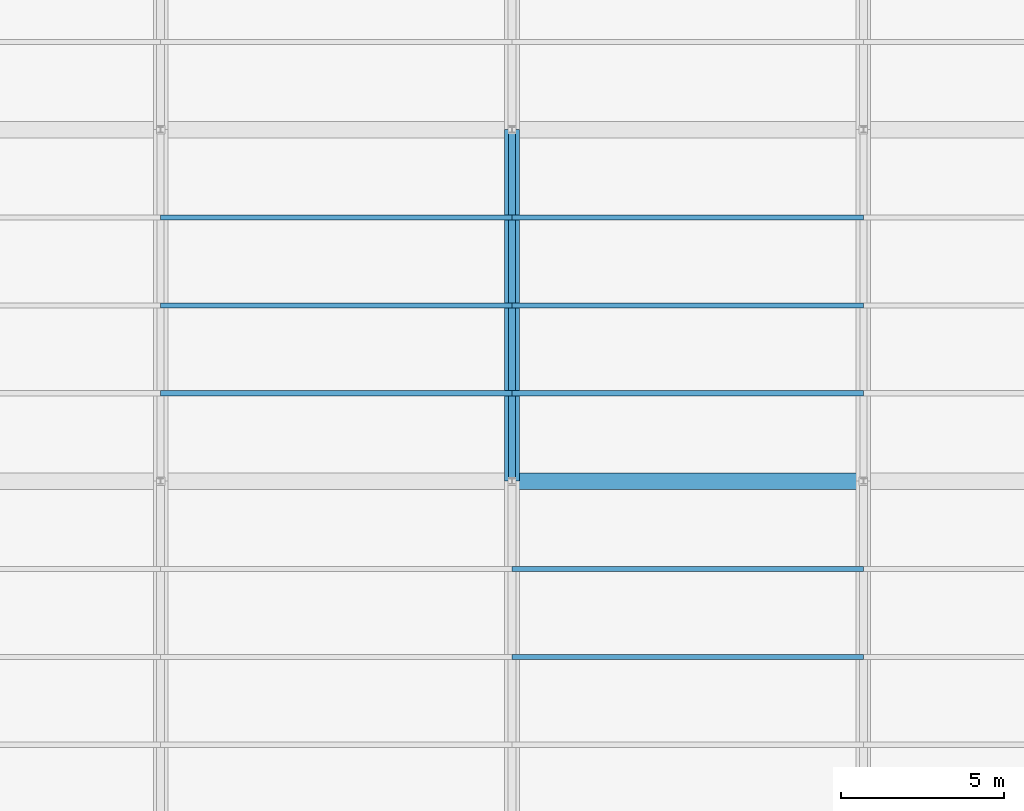
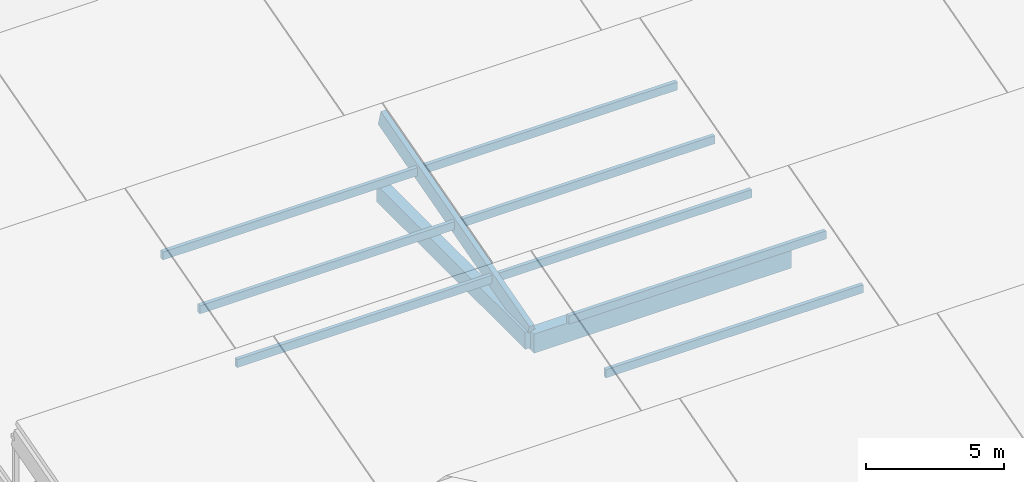
# One storey, part 24 of 112: 9 members, 2 beams.
"""IFC4 building model written with IfcOpenShell, lengths in metres."""

from ifc_helpers import new_model, si_unit, direction, frame, origin, origin_2d, place, context, subcontext, project, spatial, rectangle, extrude, material, material_profile, profile_set, type_object, element, save


model = new_model("IFC4")

# Units and contexts
model_context = context("Model", 3, precision=1e-05, world=origin(), true_north=direction((0.0, 1.0)))
body_context = subcontext(model_context, "Body", "Model", "MODEL_VIEW")
ifc_project = project(units=[si_unit("LENGTHUNIT", "METRE"), si_unit("AREAUNIT", "SQUARE_METRE"), si_unit("VOLUMEUNIT", "CUBIC_METRE"), si_unit("PLANEANGLEUNIT", "RADIAN"), si_unit("MASSUNIT", "GRAM", prefix="KILO")], contexts=[model_context])

# Site, building, storey
site_placement = place(None, origin())
site = spatial("IfcSite", under=ifc_project, at=site_placement, CompositionType="ELEMENT")
building_placement = place(site_placement, origin())
building = spatial("IfcBuilding", under=site, at=building_placement, Name="Zwinboog Wholesale Market", CompositionType="ELEMENT")
storey_placement = place(building_placement, frame((0.0, 0.0, 19.080078125)))
storey = spatial("IfcBuildingStorey", under=building, at=storey_placement, Name="Roof", CompositionType="ELEMENT", Elevation=19.080078125)

# Beams
ifc_material_1 = material(Name="Precast concrete C45/55", Category="concrete")
ifc_material_profile_1 = material_profile(ifc_material_1, rectangle(XDim=0.5, YDim=0.85009765625, at=origin_2d()), Name="PC 500x850")
ifc_profile_set_1 = profile_set([ifc_material_profile_1], Name="Precast concrete C45/55")
beam_type_1 = type_object("IfcBeamType", Name="BT-03", PredefinedType="BEAM", material=ifc_profile_set_1)
beam_1_placement = place(storey_placement, frame((21.60009765625, 86.39990234375, -9.425048828125), z_axis=(1.0, 0.0, 0.0), x_axis=(0.0, 1.0, 0.0)))
element("IfcBeam", 1, at=beam_1_placement, inside=storey, type_object=beam_type_1, Name="BG-03 (BMG-Roof-0216-0864-1181)", PredefinedType="BEAM", context=body_context, shape_type="SweptSolid", body=[
    extrude(rectangle(XDim=0.5, YDim=0.85009765625, at=origin_2d()), origin(), (0.0, 0.0, 1.0), 10.7998046875),
])
ifc_material_profile_2 = material_profile(ifc_material_1, rectangle(XDim=0.449951171875, YDim=0.75, at=origin_2d()), Name="PC 450x750")
ifc_profile_set_2 = profile_set([ifc_material_profile_2], Name="Precast concrete C45/55")
beam_type_2 = type_object("IfcBeamType", Name="BT-04", PredefinedType="BEAM", material=ifc_profile_set_2)
beam_2_placement = place(storey_placement, frame((21.60009765625, 86.39990234375, -9.375), z_axis=(0.0, 1.0, 0.0), x_axis=(-1.0, 0.0, 0.0)))
element("IfcBeam", 2, at=beam_2_placement, inside=storey, type_object=beam_type_2, Name="BG-04 (BMG-Roof-0216-0864-1229)", PredefinedType="BEAM", context=body_context, shape_type="SweptSolid", body=[
    extrude(rectangle(XDim=0.449951171875, YDim=0.75, at=origin_2d()), origin(), (0.0, 0.0, 1.0), 10.800048828125),
])

# Members
ifc_material_2 = material(Name="Glulam GL28h", Category="wood")
ifc_material_profile_3 = material_profile(ifc_material_2, rectangle(XDim=0.219970703125, YDim=0.719970703125, at=origin_2d()), Name="GL28h 220x720")
ifc_profile_set_3 = profile_set([ifc_material_profile_3], Name="Glulam GL28h")
member_type_1 = type_object("IfcMemberType", Name="MT-10", PredefinedType="RAFTER", material=ifc_profile_set_3)
member_1_placement = place(storey_placement, frame((21.60009765625, 86.39990234375, -9.065673828125), z_axis=(0.0, 0.963518221675, 0.26764274042), x_axis=(-1.0, 0.0, 0.0)))
element("IfcMember", 3, at=member_1_placement, inside=storey, type_object=member_type_1, Name="GR-02 (MEM-Roof-0819)", PredefinedType="RAFTER", context=body_context, shape_type="SweptSolid", body=[
    extrude(rectangle(XDim=0.219970703125, YDim=0.719970703125, at=origin_2d()), origin(), (0.0, 0.0, 1.0), 11.208984375),
])
ifc_material_profile_4 = material_profile(ifc_material_2, rectangle(XDim=0.159912109375, YDim=0.360107421875, at=origin_2d()), Name="GL28h 160x360")
ifc_profile_set_4 = profile_set([ifc_material_profile_4], Name="Glulam GL28h")
member_type_2 = type_object("IfcMemberType", Name="MT-12", PredefinedType="PURLIN", material=ifc_profile_set_4)
member_2_placement = place(storey_placement, frame((21.60009765625, 83.699951171875, -6.845703125), z_axis=(1.0, 0.0, 0.0), x_axis=(0.0, 1.0, 0.0)))
element("IfcMember", 4, at=member_2_placement, inside=storey, type_object=member_type_2, Name="GP-01 (MEM-Roof-0803)", PredefinedType="PURLIN", context=body_context, shape_type="SweptSolid", body=[
    extrude(rectangle(XDim=0.159912109375, YDim=0.360107421875, at=origin_2d()), origin(), (0.0, 0.0, 1.0), 10.7998046875),
])
for number, where, z_axis, x_axis, name in (
    (5, (10.800048828125, 89.10009765625, -8.273193359375), (1.0, 0.0, 0.0), (0.0, 1.0, 0.0), "GP-01 (MEM-Roof-0816)"),
    (6, (10.800048828125, 94.5, -6.773193359375), (1.0, 0.0, 0.0), (0.0, 1.0, 0.0), "GP-01 (MEM-Roof-0817)"),
):
    element("IfcMember", number, at=place(storey_placement, frame(where, z_axis=z_axis, x_axis=x_axis)), inside=storey, type_object=member_type_2, Name=name, PredefinedType="PURLIN", context=body_context, shape_type="SweptSolid", body=[
        extrude(rectangle(XDim=0.159912109375, YDim=0.360107421875, at=origin_2d()), origin(), (0.0, 0.0, 1.0), 10.800048828125),
    ])
for number, where, z_axis, x_axis, name in (
    (7, (21.60009765625, 89.10009765625, -8.285888671875), (1.0, 0.0, 0.0), (0.0, 1.0, 0.0), "GP-01 (MEM-Roof-0820)"),
    (8, (21.60009765625, 94.5, -6.785888671875), (1.0, 0.0, 0.0), (0.0, 1.0, 0.0), "GP-01 (MEM-Roof-0821)"),
    (9, (21.60009765625, 81.0, -7.595703125), (1.0, 0.0, 0.0), (0.0, 1.0, 0.0), "GP-01 (MEM-PRL-Roof-0031)"),
):
    element("IfcMember", number, at=place(storey_placement, frame(where, z_axis=z_axis, x_axis=x_axis)), inside=storey, type_object=member_type_2, Name=name, PredefinedType="PURLIN", context=body_context, shape_type="SweptSolid", body=[
        extrude(rectangle(XDim=0.159912109375, YDim=0.360107421875, at=origin_2d()), origin(), (0.0, 0.0, 1.0), 10.7998046875),
    ])
member_3_placement = place(storey_placement, frame((10.800048828125, 91.800048828125, -7.523193359375), z_axis=(1.0, 0.0, 0.0), x_axis=(0.0, 1.0, 0.0)))
element("IfcMember", 10, at=member_3_placement, inside=storey, type_object=member_type_2, Name="GP-01 (MEM-PRL-Roof-0034)", PredefinedType="PURLIN", context=body_context, shape_type="SweptSolid", body=[
    extrude(rectangle(XDim=0.159912109375, YDim=0.360107421875, at=origin_2d()), origin(), (0.0, 0.0, 1.0), 10.800048828125),
])
member_4_placement = place(storey_placement, frame((21.60009765625, 91.800048828125, -7.535888671875), z_axis=(1.0, 0.0, 0.0), x_axis=(0.0, 1.0, 0.0)))
element("IfcMember", 11, at=member_4_placement, inside=storey, type_object=member_type_2, Name="GP-01 (MEM-PRL-Roof-0035)", PredefinedType="PURLIN", context=body_context, shape_type="SweptSolid", body=[
    extrude(rectangle(XDim=0.159912109375, YDim=0.360107421875, at=origin_2d()), origin(), (0.0, 0.0, 1.0), 10.7998046875),
])

save(model, "model.ifc")
